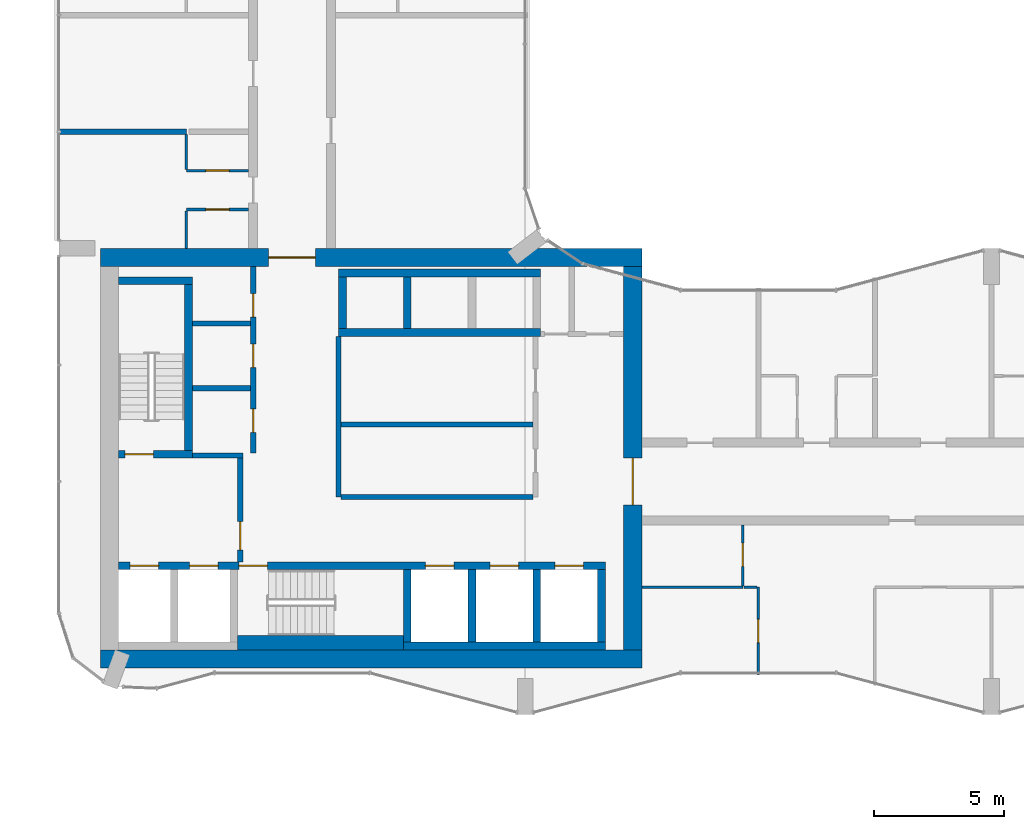
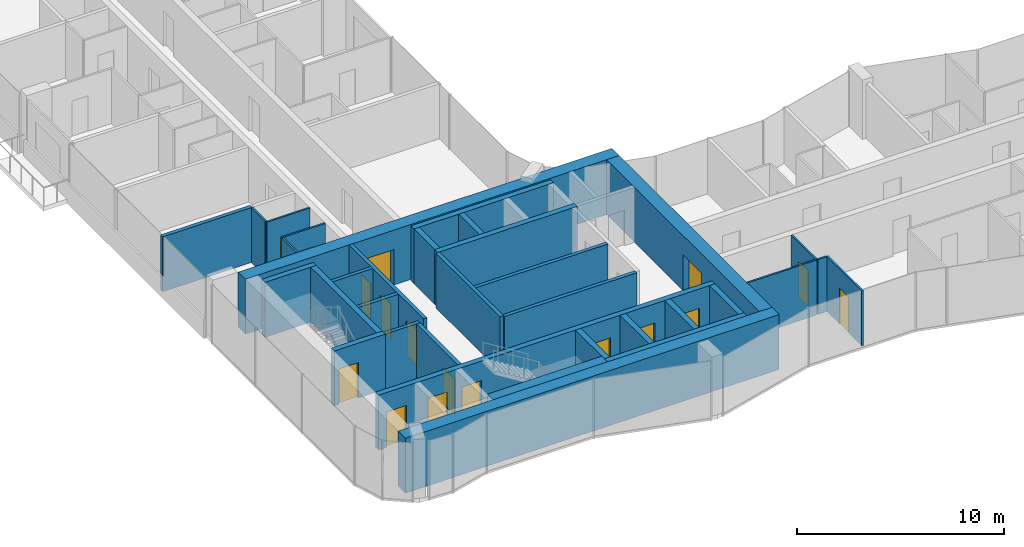
# One storey, part 13 of 22: 34 walls, 17 doors, 17 openings.
"""IFC4 building model written with IfcOpenShell, lengths in metres."""

from ifc_helpers import new_model, si_unit, direction, frame, frame_2d, origin, place, context, subcontext, project, spatial, rectangle, extrude, material, layer, layer_set, type_object, element, fill, save


model = new_model("IFC4")

# Units and contexts
model_context = context("Model", 3, precision=1e-05, world=origin(), true_north=direction((0.0, 1.0)))
body_context = subcontext(model_context, "Body", "Model", "MODEL_VIEW")
ifc_project = project(units=[si_unit("LENGTHUNIT", "METRE"), si_unit("AREAUNIT", "SQUARE_METRE"), si_unit("VOLUMEUNIT", "CUBIC_METRE"), si_unit("PLANEANGLEUNIT", "RADIAN"), si_unit("MASSUNIT", "GRAM", prefix="KILO")], contexts=[model_context])

# Site, building, storey
site_placement = place(None, origin())
site = spatial("IfcSite", under=ifc_project, at=site_placement, CompositionType="ELEMENT")
building_placement = place(site_placement, origin())
building = spatial("IfcBuilding", under=site, at=building_placement, Name="Plateau Cross Towers", CompositionType="ELEMENT")
storey_placement = place(building_placement, frame((0.0, 0.0, 65.300048828125)))
storey = spatial("IfcBuildingStorey", under=building, at=storey_placement, Name="L16", CompositionType="ELEMENT", Elevation=65.300048828125)

# Wall, opening, door
ifc_material_1 = material(Name="Concrete block, plastered both sides", Category="concrete")
ifc_layer_1 = layer(ifc_material_1, 0.199951171875)
ifc_layer_set_1 = layer_set([ifc_layer_1], Name="Concrete block, plastered both sides")
wall_type_1 = type_object("IfcWallType", Name="Core partition 200", PredefinedType="PARTITIONING", material=ifc_layer_set_1)
wall_1_placement = place(storey_placement, frame((7.0, 5.89990234375, 0.0), z_axis=(0.0, 0.0, 1.0), x_axis=(0.0, 1.0, 0.0)))
wall_1 = element("IfcWall", 1, at=wall_1_placement, inside=storey, type_object=wall_type_1, Name="Core partition", PredefinedType="PARTITIONING", context=body_context, shape_type="SweptSolid", body=[
    extrude(rectangle(XDim=4.0, YDim=0.199951171875, at=frame_2d((2.0, 0.0))), origin(), (0.0, 0.0, 1.0), 3.25),
])
opening_1_placement = place(wall_1_placement, frame((0.449951171875, 0.0, 0.0)))
opening_1 = element("IfcOpeningElement", 2, at=opening_1_placement, cuts=wall_1, Name="Opening FFD", PredefinedType="OPENING", context=body_context, shape_type="SweptSolid", body=[
    extrude(rectangle(XDim=1.10009765625, YDim=2.10009765625, at=frame_2d((0.550048828125, 1.050048828125))), frame((0.0, 0.10986328125, 0.0), z_axis=(0.0, -1.0, 0.0), x_axis=(1.0, 0.0, 0.0)), (0.0, 0.0, 1.0), 0.219970703125),
])
ifc_material_2 = material(Name="Steel, fire-resisting leaf", Category="steel")
door_type_1 = type_object("IfcDoorType", Name="Firefighting lobby door 1100", OperationType="NOTDEFINED", PredefinedType="DOOR", material=ifc_material_2)
door_1_placement = place(opening_1_placement, origin())
door_1 = element("IfcDoor", 3, at=door_1_placement, inside=storey, type_object=door_type_1, Name="Firefighting lobby door FFD", OperationType="SINGLE_SWING_LEFT", OverallHeight=2.10009765625, OverallWidth=1.10009765625, PredefinedType="DOOR", context=body_context, shape_type="SweptSolid", body=[
    extrude(rectangle(XDim=1.10009765625, YDim=2.10009765625, at=frame_2d((0.550048828125, 1.050048828125))), frame((0.0, 0.02490234375, 0.0), z_axis=(0.0, -1.0, 0.0), x_axis=(1.0, 0.0, 0.0)), (0.0, 0.0, 1.0), 0.050048828125),
])
fill(opening_1, door_1)

# Walls
wall_2_placement = place(storey_placement, frame((5.14990234375, 10.0, 0.0), z_axis=(0.0, 0.0, 1.0), x_axis=(1.0, 0.0, 0.0)))
element("IfcWall", 4, at=wall_2_placement, inside=storey, type_object=wall_type_1, Name="Core partition", PredefinedType="PARTITIONING", context=body_context, shape_type="SweptSolid", body=[
    extrude(rectangle(XDim=1.9501953125, YDim=0.199951171875, at=frame_2d((0.97509765625, 0.0))), origin(), (0.0, 0.0, 1.0), 3.25),
])
wall_3_placement = place(storey_placement, frame((10.800048828125, 8.39990234375, 0.0), z_axis=(0.0, 0.0, 1.0), x_axis=(0.0, 1.0, 0.0)))
element("IfcWall", 5, at=wall_3_placement, inside=storey, type_object=wall_type_1, Name="Core partition", PredefinedType="PARTITIONING", context=body_context, shape_type="SweptSolid", body=[
    extrude(rectangle(XDim=6.2001953125, YDim=0.199951171875, at=frame_2d((3.10009765625, 0.0))), origin(), (0.0, 0.0, 1.0), 3.25),
])
for number, where, z_axis, x_axis, name in (
    (6, (10.89990234375, 8.39990234375, 0.0), (0.0, 0.0, 1.0), (1.0, 0.0, 0.0), "Core partition"),
    (7, (10.89990234375, 11.199951171875, 0.0), (0.0, 0.0, 1.0), (1.0, 0.0, 0.0), "Core partition"),
):
    element("IfcWall", number, at=place(storey_placement, frame(where, z_axis=z_axis, x_axis=x_axis)), inside=storey, type_object=wall_type_1, Name=name, PredefinedType="PARTITIONING", context=body_context, shape_type="SweptSolid", body=[
        extrude(rectangle(XDim=7.400146484375, YDim=0.199951171875, at=frame_2d((3.7001953125, 0.0))), origin(), (0.0, 0.0, 1.0), 3.25),
    ])

# Wall, openings, doors
wall_4_placement = place(storey_placement, frame((7.5, 10.10009765625, 0.0), z_axis=(0.0, 0.0, 1.0), x_axis=(0.0, 1.0, 0.0)))
wall_4 = element("IfcWall", 8, at=wall_4_placement, inside=storey, type_object=wall_type_1, Name="Core partition", PredefinedType="PARTITIONING", context=body_context, shape_type="SweptSolid", body=[
    extrude(rectangle(XDim=7.199951171875, YDim=0.199951171875, at=frame_2d((3.60009765625, 0.0))), origin(), (0.0, 0.0, 1.0), 3.25),
])
opening_2_placement = place(wall_4_placement, frame((0.800048828125, 0.0, 0.0)))
opening_2 = element("IfcOpeningElement", 9, at=opening_2_placement, cuts=wall_4, Name="Opening RD1", PredefinedType="OPENING", context=body_context, shape_type="SweptSolid", body=[
    extrude(rectangle(XDim=0.89990234375, YDim=2.10009765625, at=frame_2d((0.449951171875, 1.050048828125))), frame((0.0, 0.10986328125, 0.0), z_axis=(0.0, -1.0, 0.0), x_axis=(1.0, 0.0, 0.0)), (0.0, 0.0, 1.0), 0.219970703125),
])
opening_3_placement = place(wall_4_placement, frame((3.300048828125, 0.0, 0.0)))
opening_3 = element("IfcOpeningElement", 10, at=opening_3_placement, cuts=wall_4, Name="Opening RD1", PredefinedType="OPENING", context=body_context, shape_type="SweptSolid", body=[
    extrude(rectangle(XDim=0.89990234375, YDim=2.10009765625, at=frame_2d((0.449951171875, 1.050048828125))), frame((0.0, 0.10986328125, 0.0), z_axis=(0.0, -1.0, 0.0), x_axis=(1.0, 0.0, 0.0)), (0.0, 0.0, 1.0), 0.219970703125),
])
opening_4_placement = place(wall_4_placement, frame((5.25, 0.0, 0.0)))
opening_4 = element("IfcOpeningElement", 11, at=opening_4_placement, cuts=wall_4, Name="Opening RD1", PredefinedType="OPENING", context=body_context, shape_type="SweptSolid", body=[
    extrude(rectangle(XDim=0.89990234375, YDim=2.10009765625, at=frame_2d((0.449951171875, 1.050048828125))), frame((0.0, 0.10986328125, 0.0), z_axis=(0.0, -1.0, 0.0), x_axis=(1.0, 0.0, 0.0)), (0.0, 0.0, 1.0), 0.219970703125),
])
ifc_material_3 = material(Name="Timber, fire-resisting leaf", Category="wood")
door_type_2 = type_object("IfcDoorType", Name="Core service door 900", OperationType="NOTDEFINED", PredefinedType="DOOR", material=ifc_material_3)
door_2_placement = place(opening_2_placement, origin())
door_2 = element("IfcDoor", 12, at=door_2_placement, inside=storey, type_object=door_type_2, Name="Core service door RD1", OperationType="SINGLE_SWING_RIGHT", OverallHeight=2.10009765625, OverallWidth=0.89990234375, PredefinedType="DOOR", context=body_context, shape_type="SweptSolid", body=[
    extrude(rectangle(XDim=0.89990234375, YDim=2.10009765625, at=frame_2d((0.449951171875, 1.050048828125))), frame((0.0, 0.02490234375, 0.0), z_axis=(0.0, -1.0, 0.0), x_axis=(1.0, 0.0, 0.0)), (0.0, 0.0, 1.0), 0.050048828125),
])
fill(opening_2, door_2)
door_3_placement = place(opening_3_placement, origin())
door_3 = element("IfcDoor", 13, at=door_3_placement, inside=storey, type_object=door_type_2, Name="Core service door RD1", OperationType="SINGLE_SWING_RIGHT", OverallHeight=2.10009765625, OverallWidth=0.89990234375, PredefinedType="DOOR", context=body_context, shape_type="SweptSolid", body=[
    extrude(rectangle(XDim=0.89990234375, YDim=2.10009765625, at=frame_2d((0.449951171875, 1.050048828125))), frame((0.0, 0.02490234375, 0.0), z_axis=(0.0, -1.0, 0.0), x_axis=(1.0, 0.0, 0.0)), (0.0, 0.0, 1.0), 0.050048828125),
])
fill(opening_3, door_3)
door_4_placement = place(opening_4_placement, origin())
door_4 = element("IfcDoor", 14, at=door_4_placement, inside=storey, type_object=door_type_2, Name="Core service door RD1", OperationType="SINGLE_SWING_RIGHT", OverallHeight=2.10009765625, OverallWidth=0.89990234375, PredefinedType="DOOR", context=body_context, shape_type="SweptSolid", body=[
    extrude(rectangle(XDim=0.89990234375, YDim=2.10009765625, at=frame_2d((0.449951171875, 1.050048828125))), frame((0.0, 0.02490234375, 0.0), z_axis=(0.0, -1.0, 0.0), x_axis=(1.0, 0.0, 0.0)), (0.0, 0.0, 1.0), 0.050048828125),
])
fill(opening_4, door_4)

# Walls
for number, where, z_axis, x_axis, name in (
    (15, (5.14990234375, 12.60009765625, 0.0), (0.0, 0.0, 1.0), (1.0, 0.0, 0.0), "Core partition"),
    (16, (5.14990234375, 15.10009765625, 0.0), (0.0, 0.0, 1.0), (1.0, 0.0, 0.0), "Core partition"),
):
    element("IfcWall", number, at=place(storey_placement, frame(where, z_axis=z_axis, x_axis=x_axis)), inside=storey, type_object=wall_type_1, Name=name, PredefinedType="PARTITIONING", context=body_context, shape_type="SweptSolid", body=[
        extrude(rectangle(XDim=2.25, YDim=0.199951171875, at=frame_2d((1.125, 0.0))), origin(), (0.0, 0.0, 1.0), 3.25),
    ])
ifc_material_4 = material(Name="Concrete C60/75", Category="concrete")
ifc_layer_2 = layer(ifc_material_4, 0.300048828125)
ifc_layer_set_2 = layer_set([ifc_layer_2], Name="Concrete C60/75")
wall_type_2 = type_object("IfcWallType", Name="Core shaft wall 300", PredefinedType="SHEAR", material=ifc_layer_set_2)
wall_5_placement = place(storey_placement, frame((13.300048828125, 2.64990234375, 0.0), z_axis=(0.0, 0.0, 1.0), x_axis=(1.0, 0.0, 0.0)))
element("IfcWall", 17, at=wall_5_placement, inside=storey, type_object=wall_type_2, Name="A-sb-back3@L16", PredefinedType="SHEAR", context=body_context, shape_type="SweptSolid", body=[
    extrude(rectangle(XDim=7.800048828125, YDim=0.300048828125, at=frame_2d((3.89990234375, 0.0))), origin(), (0.0, 0.0, 1.0), 3.25),
])
for number, where, z_axis, x_axis, name in (
    (18, (13.449951171875, 2.800048828125, 0.0), (0.0, 0.0, 1.0), (0.0, 1.0, 0.0), "A-sb-v3@L16"),
    (19, (15.949951171875, 2.800048828125, 0.0), (0.0, 0.0, 1.0), (0.0, 1.0, 0.0), "A-sb-v4@L16"),
    (20, (18.449951171875, 2.800048828125, 0.0), (0.0, 0.0, 1.0), (0.0, 1.0, 0.0), "A-sb-v5@L16"),
    (21, (20.949951171875, 2.800048828125, 0.0), (0.0, 0.0, 1.0), (0.0, 1.0, 0.0), "A-sb-v6@L16"),
):
    element("IfcWall", number, at=place(storey_placement, frame(where, z_axis=z_axis, x_axis=x_axis)), inside=storey, type_object=wall_type_2, Name=name, PredefinedType="SHEAR", context=body_context, shape_type="SweptSolid", body=[
        extrude(rectangle(XDim=2.800048828125, YDim=0.300048828125, at=frame_2d((1.39990234375, 0.0))), origin(), (0.0, 0.0, 1.0), 3.25),
    ])

# Wall, openings, doors
wall_6_placement = place(storey_placement, frame((2.300048828125, 5.75, 0.0), z_axis=(0.0, 0.0, 1.0), x_axis=(1.0, 0.0, 0.0)))
wall_6 = element("IfcWall", 22, at=wall_6_placement, inside=storey, type_object=wall_type_2, Name="A-sb-front@L16", PredefinedType="SHEAR", context=body_context, shape_type="SweptSolid", body=[
    extrude(rectangle(XDim=18.800048828125, YDim=0.300048828125, at=frame_2d((9.39990234375, 0.0))), origin(), (0.0, 0.0, 1.0), 3.25),
])
opening_5_placement = place(wall_6_placement, frame((4.64990234375, 0.0, 0.0)))
opening_5 = element("IfcOpeningElement", 23, at=opening_5_placement, cuts=wall_6, Name="Opening SD", PredefinedType="OPENING", context=body_context, shape_type="SweptSolid", body=[
    extrude(rectangle(XDim=1.10009765625, YDim=2.10009765625, at=frame_2d((0.550048828125, 1.050048828125))), frame((0.0, 0.159912109375, 0.0), z_axis=(0.0, -1.0, 0.0), x_axis=(1.0, 0.0, 0.0)), (0.0, 0.0, 1.0), 0.320068359375),
])
opening_6_placement = place(wall_6_placement, frame((0.449951171875, 0.0, 0.0)))
opening_6 = element("IfcOpeningElement", 24, at=opening_6_placement, cuts=wall_6, Name="Opening LD", PredefinedType="OPENING", context=body_context, shape_type="SweptSolid", body=[
    extrude(rectangle(XDim=1.10009765625, YDim=2.10009765625, at=frame_2d((0.550048828125, 1.050048828125))), frame((0.0, 0.159912109375, 0.0), z_axis=(0.0, -1.0, 0.0), x_axis=(1.0, 0.0, 0.0)), (0.0, 0.0, 1.0), 0.320068359375),
])
opening_7_placement = place(wall_6_placement, frame((2.75, 0.0, 0.0)))
opening_7 = element("IfcOpeningElement", 25, at=opening_7_placement, cuts=wall_6, Name="Opening LD", PredefinedType="OPENING", context=body_context, shape_type="SweptSolid", body=[
    extrude(rectangle(XDim=1.10009765625, YDim=2.10009765625, at=frame_2d((0.550048828125, 1.050048828125))), frame((0.0, 0.159912109375, 0.0), z_axis=(0.0, -1.0, 0.0), x_axis=(1.0, 0.0, 0.0)), (0.0, 0.0, 1.0), 0.320068359375),
])
opening_8_placement = place(wall_6_placement, frame((11.85009765625, 0.0, 0.0)))
opening_8 = element("IfcOpeningElement", 26, at=opening_8_placement, cuts=wall_6, Name="Opening LD", PredefinedType="OPENING", context=body_context, shape_type="SweptSolid", body=[
    extrude(rectangle(XDim=1.10009765625, YDim=2.10009765625, at=frame_2d((0.550048828125, 1.050048828125))), frame((0.0, 0.159912109375, 0.0), z_axis=(0.0, -1.0, 0.0), x_axis=(1.0, 0.0, 0.0)), (0.0, 0.0, 1.0), 0.320068359375),
])
opening_9_placement = place(wall_6_placement, frame((14.35009765625, 0.0, 0.0)))
opening_9 = element("IfcOpeningElement", 27, at=opening_9_placement, cuts=wall_6, Name="Opening LD", PredefinedType="OPENING", context=body_context, shape_type="SweptSolid", body=[
    extrude(rectangle(XDim=1.10009765625, YDim=2.10009765625, at=frame_2d((0.550048828125, 1.050048828125))), frame((0.0, 0.159912109375, 0.0), z_axis=(0.0, -1.0, 0.0), x_axis=(1.0, 0.0, 0.0)), (0.0, 0.0, 1.0), 0.320068359375),
])
opening_10_placement = place(wall_6_placement, frame((16.85009765625, 0.0, 0.0)))
opening_10 = element("IfcOpeningElement", 28, at=opening_10_placement, cuts=wall_6, Name="Opening LD", PredefinedType="OPENING", context=body_context, shape_type="SweptSolid", body=[
    extrude(rectangle(XDim=1.10009765625, YDim=2.10009765625, at=frame_2d((0.550048828125, 1.050048828125))), frame((0.0, 0.159912109375, 0.0), z_axis=(0.0, -1.0, 0.0), x_axis=(1.0, 0.0, 0.0)), (0.0, 0.0, 1.0), 0.320068359375),
])
ifc_material_5 = material(Name="Stainless steel, fire-resisting sliding leaves", Category="steel")
door_type_3 = type_object("IfcDoorType", Name="Lift landing door 1100", OperationType="NOTDEFINED", PredefinedType="DOOR", material=ifc_material_5)
door_5_placement = place(opening_6_placement, origin())
door_5 = element("IfcDoor", 29, at=door_5_placement, inside=storey, type_object=door_type_3, Name="Lift landing door LD", OperationType="DOUBLE_DOOR_SLIDING", OverallHeight=2.10009765625, OverallWidth=1.10009765625, PredefinedType="DOOR", context=body_context, shape_type="SweptSolid", body=[
    extrude(rectangle(XDim=1.10009765625, YDim=2.10009765625, at=frame_2d((0.550048828125, 1.050048828125))), frame((0.0, 0.02490234375, 0.0), z_axis=(0.0, -1.0, 0.0), x_axis=(1.0, 0.0, 0.0)), (0.0, 0.0, 1.0), 0.050048828125),
])
fill(opening_6, door_5)
door_6_placement = place(opening_7_placement, origin())
door_6 = element("IfcDoor", 30, at=door_6_placement, inside=storey, type_object=door_type_3, Name="Lift landing door LD", OperationType="DOUBLE_DOOR_SLIDING", OverallHeight=2.10009765625, OverallWidth=1.10009765625, PredefinedType="DOOR", context=body_context, shape_type="SweptSolid", body=[
    extrude(rectangle(XDim=1.10009765625, YDim=2.10009765625, at=frame_2d((0.550048828125, 1.050048828125))), frame((0.0, 0.02490234375, 0.0), z_axis=(0.0, -1.0, 0.0), x_axis=(1.0, 0.0, 0.0)), (0.0, 0.0, 1.0), 0.050048828125),
])
fill(opening_7, door_6)
door_7_placement = place(opening_8_placement, origin())
door_7 = element("IfcDoor", 31, at=door_7_placement, inside=storey, type_object=door_type_3, Name="Lift landing door LD", OperationType="DOUBLE_DOOR_SLIDING", OverallHeight=2.10009765625, OverallWidth=1.10009765625, PredefinedType="DOOR", context=body_context, shape_type="SweptSolid", body=[
    extrude(rectangle(XDim=1.10009765625, YDim=2.10009765625, at=frame_2d((0.550048828125, 1.050048828125))), frame((0.0, 0.02490234375, 0.0), z_axis=(0.0, -1.0, 0.0), x_axis=(1.0, 0.0, 0.0)), (0.0, 0.0, 1.0), 0.050048828125),
])
fill(opening_8, door_7)
door_8_placement = place(opening_9_placement, origin())
door_8 = element("IfcDoor", 32, at=door_8_placement, inside=storey, type_object=door_type_3, Name="Lift landing door LD", OperationType="DOUBLE_DOOR_SLIDING", OverallHeight=2.10009765625, OverallWidth=1.10009765625, PredefinedType="DOOR", context=body_context, shape_type="SweptSolid", body=[
    extrude(rectangle(XDim=1.10009765625, YDim=2.10009765625, at=frame_2d((0.550048828125, 1.050048828125))), frame((0.0, 0.02490234375, 0.0), z_axis=(0.0, -1.0, 0.0), x_axis=(1.0, 0.0, 0.0)), (0.0, 0.0, 1.0), 0.050048828125),
])
fill(opening_9, door_8)
door_9_placement = place(opening_10_placement, origin())
door_9 = element("IfcDoor", 33, at=door_9_placement, inside=storey, type_object=door_type_3, Name="Lift landing door LD", OperationType="DOUBLE_DOOR_SLIDING", OverallHeight=2.10009765625, OverallWidth=1.10009765625, PredefinedType="DOOR", context=body_context, shape_type="SweptSolid", body=[
    extrude(rectangle(XDim=1.10009765625, YDim=2.10009765625, at=frame_2d((0.550048828125, 1.050048828125))), frame((0.0, 0.02490234375, 0.0), z_axis=(0.0, -1.0, 0.0), x_axis=(1.0, 0.0, 0.0)), (0.0, 0.0, 1.0), 0.050048828125),
])
fill(opening_10, door_9)
door_type_4 = type_object("IfcDoorType", Name="Stair door 1100", OperationType="NOTDEFINED", PredefinedType="DOOR", material=ifc_material_2)
door_10_placement = place(opening_5_placement, origin())
door_10 = element("IfcDoor", 34, at=door_10_placement, inside=storey, type_object=door_type_4, Name="Stair door SD", OperationType="SINGLE_SWING_LEFT", OverallHeight=2.10009765625, OverallWidth=1.10009765625, PredefinedType="DOOR", context=body_context, shape_type="SweptSolid", body=[
    extrude(rectangle(XDim=1.10009765625, YDim=2.10009765625, at=frame_2d((0.550048828125, 1.050048828125))), frame((0.0, 0.02490234375, 0.0), z_axis=(0.0, -1.0, 0.0), x_axis=(1.0, 0.0, 0.0)), (0.0, 0.0, 1.0), 0.050048828125),
])
fill(opening_5, door_10)

# Wall, opening, door
wall_7_placement = place(storey_placement, frame((2.300048828125, 10.050048828125, 0.0), z_axis=(0.0, 0.0, 1.0), x_axis=(1.0, 0.0, 0.0)))
wall_7 = element("IfcWall", 35, at=wall_7_placement, inside=storey, type_object=wall_type_2, Name="A-st1-S@L16", PredefinedType="SHEAR", context=body_context, shape_type="SweptSolid", body=[
    extrude(rectangle(XDim=2.849853515625, YDim=0.300048828125, at=frame_2d((1.4248046875, 0.0))), origin(), (0.0, 0.0, 1.0), 3.25),
])
opening_11_placement = place(wall_7_placement, frame((0.25, 0.0, 0.0)))
opening_11 = element("IfcOpeningElement", 36, at=opening_11_placement, cuts=wall_7, Name="Opening SD", PredefinedType="OPENING", context=body_context, shape_type="SweptSolid", body=[
    extrude(rectangle(XDim=1.10009765625, YDim=2.10009765625, at=frame_2d((0.550048828125, 1.050048828125))), frame((0.0, 0.159912109375, 0.0), z_axis=(0.0, -1.0, 0.0), x_axis=(1.0, 0.0, 0.0)), (0.0, 0.0, 1.0), 0.320068359375),
])
door_11_placement = place(opening_11_placement, origin())
door_11 = element("IfcDoor", 37, at=door_11_placement, inside=storey, type_object=door_type_4, Name="Stair door SD", OperationType="SINGLE_SWING_RIGHT", OverallHeight=2.10009765625, OverallWidth=1.10009765625, PredefinedType="DOOR", context=body_context, shape_type="SweptSolid", body=[
    extrude(rectangle(XDim=1.10009765625, YDim=2.10009765625, at=frame_2d((0.550048828125, 1.050048828125))), frame((0.0, 0.02490234375, 0.0), z_axis=(0.0, -1.0, 0.0), x_axis=(1.0, 0.0, 0.0)), (0.0, 0.0, 1.0), 0.050048828125),
])
fill(opening_11, door_11)

# Walls
wall_8_placement = place(storey_placement, frame((5.0, 10.199951171875, 0.0), z_axis=(0.0, 0.0, 1.0), x_axis=(0.0, 1.0, 0.0)))
element("IfcWall", 38, at=wall_8_placement, inside=storey, type_object=wall_type_2, Name="A-st1-E@L16", PredefinedType="SHEAR", context=body_context, shape_type="SweptSolid", body=[
    extrude(rectangle(XDim=6.400146484375, YDim=0.300048828125, at=frame_2d((3.2001953125, 0.0))), origin(), (0.0, 0.0, 1.0), 3.25),
])
wall_9_placement = place(storey_placement, frame((2.300048828125, 16.75, 0.0), z_axis=(0.0, 0.0, 1.0), x_axis=(1.0, 0.0, 0.0)))
element("IfcWall", 39, at=wall_9_placement, inside=storey, type_object=wall_type_2, Name="A-st1-N@L16", PredefinedType="SHEAR", context=body_context, shape_type="SweptSolid", body=[
    extrude(rectangle(XDim=2.849853515625, YDim=0.300048828125, at=frame_2d((1.4248046875, 0.0))), origin(), (0.0, 0.0, 1.0), 3.25),
])
for number, where, z_axis, x_axis, name in (
    (40, (10.800048828125, 17.050048828125, 0.0), (0.0, 0.0, 1.0), (1.0, 0.0, 0.0), "A-nb-back@L16"),
    (41, (10.800048828125, 14.75, 0.0), (0.0, 0.0, 1.0), (1.0, 0.0, 0.0), "A-nb-front@L16"),
):
    element("IfcWall", number, at=place(storey_placement, frame(where, z_axis=z_axis, x_axis=x_axis)), inside=storey, type_object=wall_type_2, Name=name, PredefinedType="SHEAR", context=body_context, shape_type="SweptSolid", body=[
        extrude(rectangle(XDim=7.800048828125, YDim=0.300048828125, at=frame_2d((3.89990234375, 0.0))), origin(), (0.0, 0.0, 1.0), 3.25),
    ])
for number, where, z_axis, x_axis, name in (
    (42, (10.949951171875, 14.89990234375, 0.0), (0.0, 0.0, 1.0), (0.0, 1.0, 0.0), "A-nb-v1@L16"),
    (43, (13.449951171875, 14.89990234375, 0.0), (0.0, 0.0, 1.0), (0.0, 1.0, 0.0), "A-nb-v2@L16"),
):
    element("IfcWall", number, at=place(storey_placement, frame(where, z_axis=z_axis, x_axis=x_axis)), inside=storey, type_object=wall_type_2, Name=name, PredefinedType="SHEAR", context=body_context, shape_type="SweptSolid", body=[
        extrude(rectangle(XDim=2.0, YDim=0.300048828125, at=frame_2d((1.0, 0.0))), origin(), (0.0, 0.0, 1.0), 3.25),
    ])
ifc_layer_3 = layer(ifc_material_4, 0.550048828125)
ifc_layer_set_3 = layer_set([ifc_layer_3], Name="Concrete C60/75")
wall_type_3 = type_object("IfcWallType", Name="Core shaft wall 550", PredefinedType="SHEAR", material=ifc_layer_set_3)
wall_10_placement = place(storey_placement, frame((6.89990234375, 2.77490234375, 0.0), z_axis=(0.0, 0.0, 1.0), x_axis=(1.0, 0.0, 0.0)))
element("IfcWall", 44, at=wall_10_placement, inside=storey, type_object=wall_type_3, Name="A-sb-back2@L16", PredefinedType="SHEAR", context=body_context, shape_type="SweptSolid", body=[
    extrude(rectangle(XDim=6.400146484375, YDim=0.550048828125, at=frame_2d((3.2001953125, 0.0))), origin(), (0.0, 0.0, 1.0), 3.25),
])
ifc_layer_4 = layer(ifc_material_4, 0.699951171875)
ifc_layer_set_4 = layer_set([ifc_layer_4], Name="Concrete C60/75")
wall_type_4 = type_object("IfcWallType", Name="Core shell wall 700", PredefinedType="SHEAR", material=ifc_layer_set_4)
wall_11_placement = place(storey_placement, frame((1.60009765625, 2.14990234375, 0.0), z_axis=(0.0, 0.0, 1.0), x_axis=(1.0, 0.0, 0.0)))
element("IfcWall", 45, at=wall_11_placement, inside=storey, type_object=wall_type_4, Name="A-core-S@L16", PredefinedType="SHEAR", context=body_context, shape_type="SweptSolid", body=[
    extrude(rectangle(XDim=20.89990234375, YDim=0.699951171875, at=frame_2d((10.449951171875, 0.0))), origin(), (0.0, 0.0, 1.0), 3.25),
])

# Wall, opening, door
wall_12_placement = place(storey_placement, frame((1.60009765625, 17.64990234375, 0.0), z_axis=(0.0, 0.0, 1.0), x_axis=(1.0, 0.0, 0.0)))
wall_12 = element("IfcWall", 46, at=wall_12_placement, inside=storey, type_object=wall_type_4, Name="A-core-N@L16", PredefinedType="SHEAR", context=body_context, shape_type="SweptSolid", body=[
    extrude(rectangle(XDim=20.89990234375, YDim=0.699951171875, at=frame_2d((10.449951171875, 0.0))), origin(), (0.0, 0.0, 1.0), 3.25),
])
opening_12_placement = place(wall_12_placement, frame((6.5, 0.0, 0.0)))
opening_12 = element("IfcOpeningElement", 47, at=opening_12_placement, cuts=wall_12, Name="Opening CD", PredefinedType="OPENING", context=body_context, shape_type="SweptSolid", body=[
    extrude(rectangle(XDim=1.800048828125, YDim=2.10009765625, at=frame_2d((0.89990234375, 1.050048828125))), frame((0.0, 0.35986328125, 0.0), z_axis=(0.0, -1.0, 0.0), x_axis=(1.0, 0.0, 0.0)), (0.0, 0.0, 1.0), 0.719970703125),
])
ifc_material_6 = material(Name="Steel, fire-resisting leaves", Category="steel")
door_type_5 = type_object("IfcDoorType", Name="Corridor door pair 1800", OperationType="NOTDEFINED", PredefinedType="DOOR", material=ifc_material_6)
door_12_placement = place(opening_12_placement, origin())
door_12 = element("IfcDoor", 48, at=door_12_placement, inside=storey, type_object=door_type_5, Name="Corridor door pair CD", OperationType="DOUBLE_DOOR_SINGLE_SWING", OverallHeight=2.10009765625, OverallWidth=1.800048828125, PredefinedType="DOOR", context=body_context, shape_type="SweptSolid", body=[
    extrude(rectangle(XDim=1.800048828125, YDim=2.10009765625, at=frame_2d((0.89990234375, 1.050048828125))), frame((0.0, 0.02490234375, 0.0), z_axis=(0.0, -1.0, 0.0), x_axis=(1.0, 0.0, 0.0)), (0.0, 0.0, 1.0), 0.050048828125),
])
fill(opening_12, door_12)

wall_13_placement = place(storey_placement, frame((22.14990234375, 2.5, 0.0), z_axis=(0.0, 0.0, 1.0), x_axis=(0.0, 1.0, 0.0)))
wall_13 = element("IfcWall", 49, at=wall_13_placement, inside=storey, type_object=wall_type_4, Name="A-core-E@L16", PredefinedType="SHEAR", context=body_context, shape_type="SweptSolid", body=[
    extrude(rectangle(XDim=14.800048828125, YDim=0.699951171875, at=frame_2d((7.39990234375, 0.0))), origin(), (0.0, 0.0, 1.0), 3.25),
])
opening_13_placement = place(wall_13_placement, frame((5.60009765625, 0.0, 0.0)))
opening_13 = element("IfcOpeningElement", 50, at=opening_13_placement, cuts=wall_13, Name="Opening CD", PredefinedType="OPENING", context=body_context, shape_type="SweptSolid", body=[
    extrude(rectangle(XDim=1.800048828125, YDim=2.10009765625, at=frame_2d((0.89990234375, 1.050048828125))), frame((0.0, 0.35986328125, 0.0), z_axis=(0.0, -1.0, 0.0), x_axis=(1.0, 0.0, 0.0)), (0.0, 0.0, 1.0), 0.719970703125),
])
door_13_placement = place(opening_13_placement, origin())
door_13 = element("IfcDoor", 51, at=door_13_placement, inside=storey, type_object=door_type_5, Name="Corridor door pair CD", OperationType="DOUBLE_DOOR_SINGLE_SWING", OverallHeight=2.10009765625, OverallWidth=1.800048828125, PredefinedType="DOOR", context=body_context, shape_type="SweptSolid", body=[
    extrude(rectangle(XDim=1.800048828125, YDim=2.10009765625, at=frame_2d((0.89990234375, 1.050048828125))), frame((0.0, 0.02490234375, 0.0), z_axis=(0.0, -1.0, 0.0), x_axis=(1.0, 0.0, 0.0)), (0.0, 0.0, 1.0), 0.050048828125),
])
fill(opening_13, door_13)

# Walls
ifc_material_7 = material(Name="Gypsum board on steel studs", Category="steel")
ifc_layer_5 = layer(ifc_material_7, 0.10009765625)
ifc_layer_set_5 = layer_set([ifc_layer_5], Name="Gypsum board on steel studs")
wall_type_5 = type_object("IfcWallType", Name="Flat partition 100", PredefinedType="PARTITIONING", material=ifc_layer_set_5)
wall_14_placement = place(storey_placement, frame((26.949951171875, 4.925048828125, 0.0), z_axis=(0.0, 0.0, 1.0), x_axis=(-1.0, 0.0, 0.0)))
element("IfcWall", 52, at=wall_14_placement, inside=storey, type_object=wall_type_5, Name="Partition wall", PredefinedType="PARTITIONING", context=body_context, shape_type="SweptSolid", body=[
    extrude(rectangle(XDim=0.5, YDim=0.10009765625, at=frame_2d((0.25, 0.0))), origin(), (0.0, 0.0, 1.0), 3.25),
])
wall_15_placement = place(storey_placement, frame((22.5, 4.925048828125, 0.0), z_axis=(0.0, 0.0, 1.0), x_axis=(1.0, 0.0, 0.0)))
element("IfcWall", 53, at=wall_15_placement, inside=storey, type_object=wall_type_5, Name="Partition wall", PredefinedType="PARTITIONING", context=body_context, shape_type="SweptSolid", body=[
    extrude(rectangle(XDim=3.89990234375, YDim=0.10009765625, at=frame_2d((1.949951171875, 0.0))), origin(), (0.0, 0.0, 1.0), 3.25),
])

# Wall, opening, door
wall_16_placement = place(storey_placement, frame((7.324951171875, 19.5, 0.0), z_axis=(0.0, 0.0, 1.0), x_axis=(-1.0, 0.0, 0.0)))
wall_16 = element("IfcWall", 54, at=wall_16_placement, inside=storey, type_object=wall_type_5, Name="Partition wall", PredefinedType="PARTITIONING", context=body_context, shape_type="SweptSolid", body=[
    extrude(rectangle(XDim=2.39990234375, YDim=0.10009765625, at=frame_2d((1.199951171875, 0.0))), origin(), (0.0, 0.0, 1.0), 3.25),
])
opening_14_placement = place(wall_16_placement, frame((0.75, 0.0, 0.0)))
opening_14 = element("IfcOpeningElement", 55, at=opening_14_placement, cuts=wall_16, Name="Opening 16-29", PredefinedType="OPENING", context=body_context, shape_type="SweptSolid", body=[
    extrude(rectangle(XDim=0.89990234375, YDim=2.10009765625, at=frame_2d((0.449951171875, 1.050048828125))), frame((0.0, 0.06005859375, 0.0), z_axis=(0.0, -1.0, 0.0), x_axis=(1.0, 0.0, 0.0)), (0.0, 0.0, 1.0), 0.1201171875),
])
ifc_material_8 = material(Name="Timber leaf", Category="wood")
door_type_6 = type_object("IfcDoorType", Name="Flat room door 900", OperationType="NOTDEFINED", PredefinedType="DOOR", material=ifc_material_8)
door_14_placement = place(opening_14_placement, origin())
door_14 = element("IfcDoor", 56, at=door_14_placement, inside=storey, type_object=door_type_6, Name="Door 16-29", OperationType="SINGLE_SWING_LEFT", OverallHeight=2.10009765625, OverallWidth=0.89990234375, PredefinedType="DOOR", context=body_context, shape_type="SweptSolid", body=[
    extrude(rectangle(XDim=0.89990234375, YDim=2.10009765625, at=frame_2d((0.449951171875, 1.050048828125))), frame((0.0, 0.02490234375, 0.0), z_axis=(0.0, -1.0, 0.0), x_axis=(1.0, 0.0, 0.0)), (0.0, 0.0, 1.0), 0.050048828125),
])
fill(opening_14, door_14)

wall_17_placement = place(storey_placement, frame((4.925048828125, 21.0, 0.0), z_axis=(0.0, 0.0, 1.0), x_axis=(1.0, 0.0, 0.0)))
wall_17 = element("IfcWall", 57, at=wall_17_placement, inside=storey, type_object=wall_type_5, Name="Partition wall", PredefinedType="PARTITIONING", context=body_context, shape_type="SweptSolid", body=[
    extrude(rectangle(XDim=2.39990234375, YDim=0.10009765625, at=frame_2d((1.199951171875, 0.0))), origin(), (0.0, 0.0, 1.0), 3.25),
])
opening_15_placement = place(wall_17_placement, frame((0.75, 0.0, 0.0)))
opening_15 = element("IfcOpeningElement", 58, at=opening_15_placement, cuts=wall_17, Name="Opening 16-30", PredefinedType="OPENING", context=body_context, shape_type="SweptSolid", body=[
    extrude(rectangle(XDim=0.89990234375, YDim=2.10009765625, at=frame_2d((0.449951171875, 1.050048828125))), frame((0.0, 0.06005859375, 0.0), z_axis=(0.0, -1.0, 0.0), x_axis=(1.0, 0.0, 0.0)), (0.0, 0.0, 1.0), 0.1201171875),
])
door_15_placement = place(opening_15_placement, origin())
door_15 = element("IfcDoor", 59, at=door_15_placement, inside=storey, type_object=door_type_6, Name="Door 16-30", OperationType="SINGLE_SWING_LEFT", OverallHeight=2.10009765625, OverallWidth=0.89990234375, PredefinedType="DOOR", context=body_context, shape_type="SweptSolid", body=[
    extrude(rectangle(XDim=0.89990234375, YDim=2.10009765625, at=frame_2d((0.449951171875, 1.050048828125))), frame((0.0, 0.02490234375, 0.0), z_axis=(0.0, -1.0, 0.0), x_axis=(1.0, 0.0, 0.0)), (0.0, 0.0, 1.0), 0.050048828125),
])
fill(opening_15, door_15)

# Walls
wall_18_placement = place(storey_placement, frame((4.925048828125, 19.449951171875, 0.0), z_axis=(0.0, 0.0, 1.0), x_axis=(0.0, -1.0, 0.0)))
element("IfcWall", 60, at=wall_18_placement, inside=storey, type_object=wall_type_5, Name="Partition wall", PredefinedType="PARTITIONING", context=body_context, shape_type="SweptSolid", body=[
    extrude(rectangle(XDim=1.449951171875, YDim=0.10009765625, at=frame_2d((0.72509765625, 0.0))), origin(), (0.0, 0.0, 1.0), 3.25),
])
wall_19_placement = place(storey_placement, frame((4.925048828125, 22.39990234375, 0.0), z_axis=(0.0, 0.0, 1.0), x_axis=(0.0, -1.0, 0.0)))
element("IfcWall", 61, at=wall_19_placement, inside=storey, type_object=wall_type_5, Name="Partition wall", PredefinedType="PARTITIONING", context=body_context, shape_type="SweptSolid", body=[
    extrude(rectangle(XDim=1.349853515625, YDim=0.10009765625, at=frame_2d((0.6748046875, 0.0))), origin(), (0.0, 0.0, 1.0), 3.25),
])

# Wall, opening, door
wall_20_placement = place(storey_placement, frame((26.39990234375, 4.97509765625, 0.0), z_axis=(0.0, 0.0, 1.0), x_axis=(0.0, 1.0, 0.0)))
wall_20 = element("IfcWall", 62, at=wall_20_placement, inside=storey, type_object=wall_type_5, Name="Partition wall", PredefinedType="PARTITIONING", context=body_context, shape_type="SweptSolid", body=[
    extrude(rectangle(XDim=2.349853515625, YDim=0.10009765625, at=frame_2d((1.1748046875, 0.0))), origin(), (0.0, 0.0, 1.0), 3.25),
])
opening_16_placement = place(wall_20_placement, frame((0.75, 0.0, 0.0)))
opening_16 = element("IfcOpeningElement", 63, at=opening_16_placement, cuts=wall_20, Name="Opening 16-17", PredefinedType="OPENING", context=body_context, shape_type="SweptSolid", body=[
    extrude(rectangle(XDim=0.89990234375, YDim=2.10009765625, at=frame_2d((0.449951171875, 1.050048828125))), frame((0.0, 0.06005859375, 0.0), z_axis=(0.0, -1.0, 0.0), x_axis=(1.0, 0.0, 0.0)), (0.0, 0.0, 1.0), 0.1201171875),
])
door_16_placement = place(opening_16_placement, origin())
door_16 = element("IfcDoor", 64, at=door_16_placement, inside=storey, type_object=door_type_6, Name="Door 16-17", OperationType="SINGLE_SWING_RIGHT", OverallHeight=2.10009765625, OverallWidth=0.89990234375, PredefinedType="DOOR", context=body_context, shape_type="SweptSolid", body=[
    extrude(rectangle(XDim=0.89990234375, YDim=2.10009765625, at=frame_2d((0.449951171875, 1.050048828125))), frame((0.0, 0.02490234375, 0.0), z_axis=(0.0, -1.0, 0.0), x_axis=(1.0, 0.0, 0.0)), (0.0, 0.0, 1.0), 0.050048828125),
])
fill(opening_16, door_16)

wall_21_placement = place(storey_placement, frame((27.0, 1.52685546875, 0.0), z_axis=(0.0, 0.0, 1.0), x_axis=(0.0, 1.0, 0.0)))
wall_21 = element("IfcWall", 65, at=wall_21_placement, inside=storey, type_object=wall_type_5, Name="Partition wall", PredefinedType="PARTITIONING", context=body_context, shape_type="SweptSolid", body=[
    extrude(rectangle(XDim=3.398193359375, YDim=0.10009765625, at=frame_2d((1.69921875, 0.0))), origin(), (0.0, 0.0, 1.0), 3.25),
])
opening_17_placement = place(wall_21_placement, frame((1.25, 0.0, 0.0)))
opening_17 = element("IfcOpeningElement", 66, at=opening_17_placement, cuts=wall_21, Name="Opening 16-19", PredefinedType="OPENING", context=body_context, shape_type="SweptSolid", body=[
    extrude(rectangle(XDim=0.89990234375, YDim=2.10009765625, at=frame_2d((0.449951171875, 1.050048828125))), frame((0.0, 0.06005859375, 0.0), z_axis=(0.0, -1.0, 0.0), x_axis=(1.0, 0.0, 0.0)), (0.0, 0.0, 1.0), 0.1201171875),
])
door_17_placement = place(opening_17_placement, origin())
door_17 = element("IfcDoor", 67, at=door_17_placement, inside=storey, type_object=door_type_6, Name="Door 16-19", OperationType="SINGLE_SWING_RIGHT", OverallHeight=2.10009765625, OverallWidth=0.89990234375, PredefinedType="DOOR", context=body_context, shape_type="SweptSolid", body=[
    extrude(rectangle(XDim=0.89990234375, YDim=2.10009765625, at=frame_2d((0.449951171875, 1.050048828125))), frame((0.0, 0.02490234375, 0.0), z_axis=(0.0, -1.0, 0.0), x_axis=(1.0, 0.0, 0.0)), (0.0, 0.0, 1.0), 0.050048828125),
])
fill(opening_17, door_17)

# Wall
ifc_material_9 = material(Name="Gypsum board on steel studs, two layers each side", Category="steel")
ifc_layer_6 = layer(ifc_material_9, 0.199951171875)
ifc_layer_set_6 = layer_set([ifc_layer_6], Name="Gypsum board on steel studs, two layers each side")
wall_type_6 = type_object("IfcWallType", Name="Flat party wall 200", PredefinedType="PARTITIONING", material=ifc_layer_set_6)
wall_22_placement = place(storey_placement, frame((-0.080078125, 22.5, 0.0), z_axis=(0.0, 0.0, 1.0), x_axis=(1.0, 0.0, 0.0)))
element("IfcWall", 68, at=wall_22_placement, inside=storey, type_object=wall_type_6, Name="Party wall", PredefinedType="PARTITIONING", context=body_context, shape_type="SweptSolid", body=[
    extrude(rectangle(XDim=5.005126953125, YDim=0.199951171875, at=frame_2d((2.50244140625, 0.0))), origin(), (0.0, 0.0, 1.0), 3.25),
])

save(model, "model.ifc")
